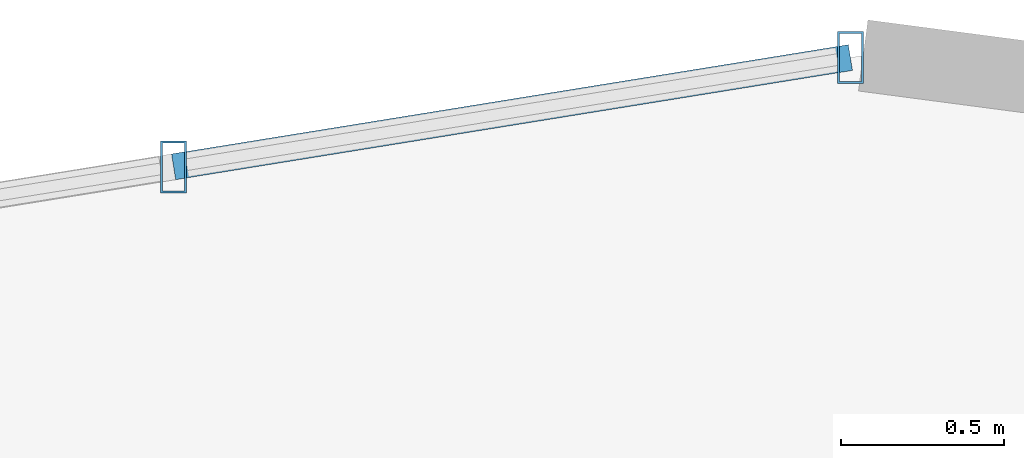
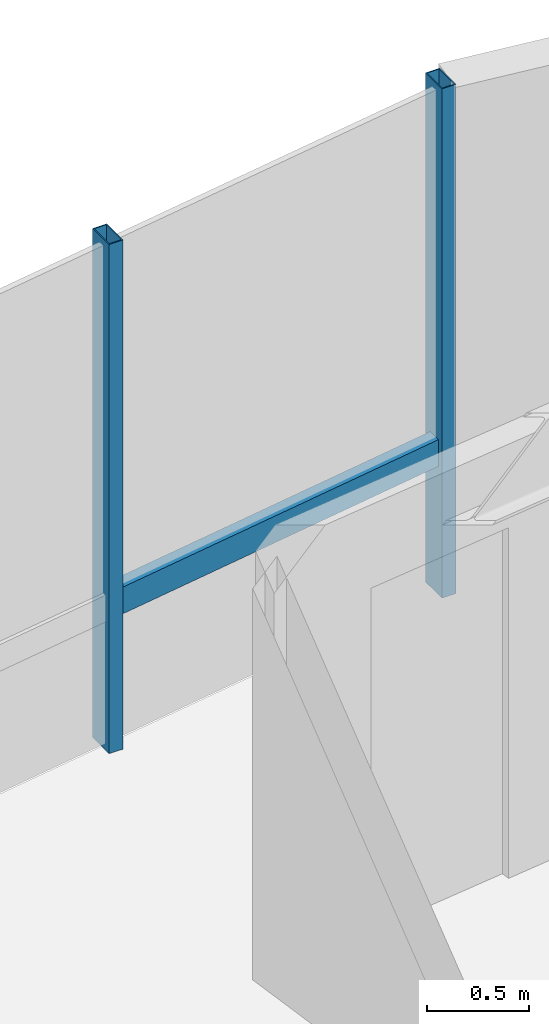
# One storey, part 16 of 23: 3 members, 1 element without a shape of its own.
"""IFC4 building model written with IfcOpenShell, lengths in metres."""

from ifc_helpers import new_model, si_unit, direction, frame, origin, origin_2d, place, context, subcontext, project, spatial, hollow_rectangle, extrude, source, transform, mapped, material, material_profile, profile_set, type_object, element, aggregate, save


model = new_model("IFC4")

# Units and contexts
model_context = context("Model", 3, precision=1e-05, world=origin(), true_north=direction((0.0, 1.0)))
body_context = subcontext(model_context, "Body", "Model", "MODEL_VIEW")
ifc_project = project(units=[si_unit("LENGTHUNIT", "METRE"), si_unit("AREAUNIT", "SQUARE_METRE"), si_unit("VOLUMEUNIT", "CUBIC_METRE"), si_unit("PLANEANGLEUNIT", "RADIAN"), si_unit("MASSUNIT", "GRAM", prefix="KILO")], contexts=[model_context])

# Site, building, storey
site_placement = place(None, origin())
site = spatial("IfcSite", under=ifc_project, at=site_placement, CompositionType="ELEMENT")
building_placement = place(site_placement, origin())
building = spatial("IfcBuilding", under=site, at=building_placement, Name="Sahyath Konkavel Grand Hotel", CompositionType="ELEMENT")
storey_placement = place(building_placement, frame((0.0, 0.0, 226.60009765625)))
storey = spatial("IfcBuildingStorey", under=building, at=storey_placement, Name="L63", CompositionType="ELEMENT", Elevation=226.60009765625)

# Curtain wall, members
ifc_material_1 = material(Name="Anodised Bronze Aluminium & Low-E Glazing", Category="aluminium")
curtain_wall_type = type_object("IfcCurtainWallType", Name="CW-ZONE4", PredefinedType="NOTDEFINED", material=ifc_material_1)
curtain_wall_placement = place(storey_placement, origin())
curtain_wall = element("IfcCurtainWall", 1, at=curtain_wall_placement, inside=storey, type_object=curtain_wall_type, Name="L63 Unitised Curtain Wall F12", PredefinedType="NOTDEFINED")
ifc_material_2 = material(Name="Anodised Bronze Aluminium", Category="aluminium")
ifc_material_profile_1 = material_profile(ifc_material_2, hollow_rectangle(XDim=0.080078125, YDim=0.159912109375, WallThickness=0.006103515625, at=origin_2d()), Name="RHS 160x80x6")
ifc_profile_set_1 = profile_set([ifc_material_profile_1], Name="Anodised Bronze Aluminium")
member_type_1 = type_object("IfcMemberType", Name="CW-MUL-160", PredefinedType="MULLION", material=ifc_profile_set_1)
shared_shape_1 = source(origin(), body_context, "Body", "SweptSolid", [
    extrude(hollow_rectangle(XDim=0.080078125, YDim=0.159912109375, WallThickness=0.006103515625, at=origin_2d()), origin(), (0.0, 0.0, 1.0), 3.0498046875),
])
member_1_placement = place(storey_placement, frame((1.11083984375, 20.27734375, 0.0), z_axis=(0.0, 0.0, 1.0), x_axis=(1.0, 0.0, 0.0)))
member_1 = element("IfcMember", 2, at=member_1_placement, type_object=member_type_1, Name="L63 Curtain Wall Mullion F12-0", PredefinedType="MULLION", context=body_context, shape_type="MappedRepresentation", body=[
    mapped(shared_shape_1, transform((0.0, 0.0, 0.0), scale=1.0)),
])
member_2_placement = place(storey_placement, frame((-0.968505859375, 19.941650390625, 0.0), z_axis=(0.0, 0.0, 1.0), x_axis=(1.0, 0.0, 0.0)))
member_2 = element("IfcMember", 3, at=member_2_placement, type_object=member_type_1, Name="L63 Curtain Wall Mullion F12-1", PredefinedType="MULLION", context=body_context, shape_type="MappedRepresentation", body=[
    mapped(shared_shape_1, transform((0.0, 0.0, 0.0), scale=1.0)),
])
ifc_material_profile_2 = material_profile(ifc_material_2, hollow_rectangle(XDim=0.080078125, YDim=0.159912109375, WallThickness=0.006103515625, at=origin_2d()), Name="RHS 160x80x6")
ifc_profile_set_2 = profile_set([ifc_material_profile_2], Name="Anodised Bronze Aluminium")
member_type_2 = type_object("IfcMemberType", Name="CW-TRN-160", PredefinedType="USERDEFINED", material=ifc_profile_set_2)
shared_shape_2 = source(origin(), body_context, "Body", "SweptSolid", [
    extrude(hollow_rectangle(XDim=0.080078125, YDim=0.159912109375, WallThickness=0.006103515625, at=origin_2d()), origin(), (0.0, 0.0, 1.0), 2.106201171875),
])
member_3_placement = place(storey_placement, frame((1.11083984375, 20.27734375, 0.849853515625), z_axis=(-0.987217598506, -0.159378208048, 0.0), x_axis=(0.159378208048, -0.987217598506, 0.0)))
member_3 = element("IfcMember", 4, at=member_3_placement, type_object=member_type_2, Name="L63 Curtain Wall Transom F12-0-spandrel", ObjectType="TRANSOM", PredefinedType="USERDEFINED", context=body_context, shape_type="MappedRepresentation", body=[
    mapped(shared_shape_2, transform((0.0, 0.0, 0.0), scale=1.0)),
])
aggregate(curtain_wall, [member_1, member_2, member_3])

save(model, "model.ifc")
